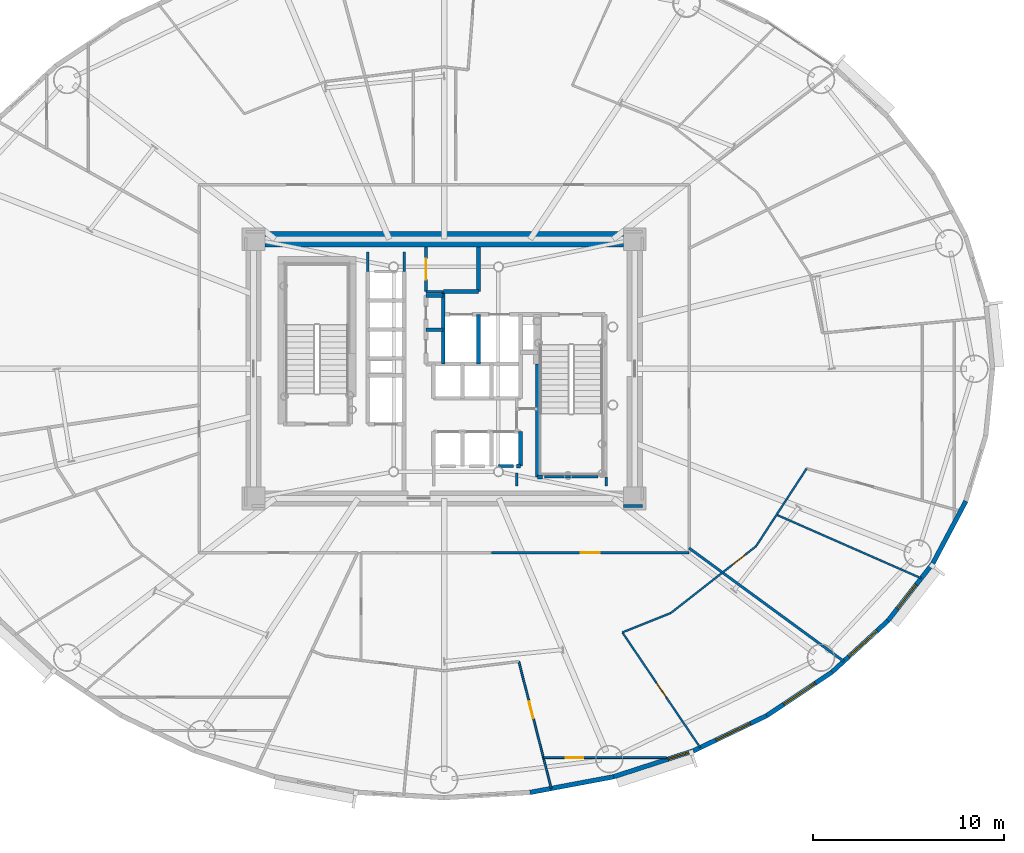
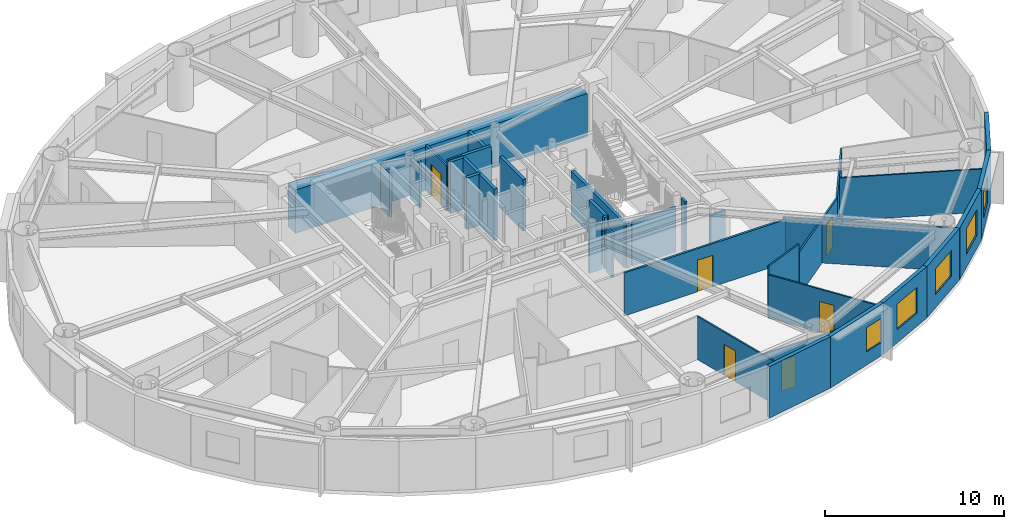
# One storey, part 13 of 21: 36 walls, 6 doors, 5 windows, 11 openings.
"""IFC4 building model written with IfcOpenShell, lengths in metres."""

from ifc_helpers import new_model, si_unit, direction, frame, frame_2d, origin, origin_2d, place, context, subcontext, project, spatial, rectangle, extrude, source, transform, mapped, material, layer, layer_set, type_object, element, fill, save


model = new_model("IFC4")

# Units and contexts
model_context = context("Model", 3, precision=1e-05, world=origin(), true_north=direction((0.0, 1.0)))
body_context = subcontext(model_context, "Body", "Model", "MODEL_VIEW")
ifc_project = project(units=[si_unit("LENGTHUNIT", "METRE"), si_unit("AREAUNIT", "SQUARE_METRE"), si_unit("VOLUMEUNIT", "CUBIC_METRE"), si_unit("PLANEANGLEUNIT", "RADIAN"), si_unit("MASSUNIT", "GRAM", prefix="KILO")], contexts=[model_context])

# Site, building, storey
site_placement = place(None, origin())
site = spatial("IfcSite", under=ifc_project, at=site_placement, CompositionType="ELEMENT")
building_placement = place(site_placement, origin())
building = spatial("IfcBuilding", under=site, at=building_placement, Name="Linh Dai School and Residence Tower", CompositionType="ELEMENT")
storey_placement = place(building_placement, frame((0.0, 0.0, 134.699951171875)))
storey = spatial("IfcBuildingStorey", under=building, at=storey_placement, Name="L32", CompositionType="ELEMENT", Elevation=134.699951171875)

# Wall
ifc_material_1 = material(Name="Precast Concrete B45 (C35/45)", Category="concrete")
ifc_layer_1 = layer(ifc_material_1, 0.239990234375)
ifc_layer_set_1 = layer_set([ifc_layer_1], Name="Precast Concrete B45 (C35/45)")
wall_type_1 = type_object("IfcWallType", Name="EW-TC-240", PredefinedType="SOLIDWALL", material=ifc_layer_set_1)
wall_1_placement = place(storey_placement, frame((44.899658203125, 5.5986328125, 0.0), z_axis=(0.0, 0.0, 1.0), x_axis=(-0.982789252177, -0.184730305596, 0.0)))
element("IfcWall", 1, at=wall_1_placement, inside=storey, type_object=wall_type_1, Name="L32 Terracotta Exterior Wall 32", PredefinedType="SOLIDWALL", context=body_context, shape_type="SweptSolid", body=[
    extrude(rectangle(XDim=4.470947265625, YDim=0.239990234375, at=frame_2d((2.2353515625, 0.0))), origin(), (0.0, 0.0, 1.0), 3.5),
])

# Wall, opening, window
wall_2_placement = place(storey_placement, frame((49.073974609375, 6.95263671875, 0.0), z_axis=(0.0, 0.0, 1.0), x_axis=(-0.951211346073, -0.308540070495, 0.0)))
wall_2 = element("IfcWall", 2, at=wall_2_placement, inside=storey, type_object=wall_type_1, Name="L32 Terracotta Exterior Wall 33", PredefinedType="SOLIDWALL", context=body_context, shape_type="SweptSolid", body=[
    extrude(rectangle(XDim=4.388427734375, YDim=0.239990234375, at=frame_2d((2.1943359375, 0.0))), origin(), (0.0, 0.0, 1.0), 3.5),
])
opening_1_placement = place(wall_2_placement, frame((0.139892578125, 0.0, 0.89990234375)))
opening_1 = element("IfcOpeningElement", 3, at=opening_1_placement, cuts=wall_2, Name="Opening W3", PredefinedType="OPENING", context=body_context, shape_type="SweptSolid", body=[
    extrude(rectangle(XDim=1.25, YDim=1.64990234375, at=origin_2d()), frame((0.625, 0.1298828125, 0.824951171875), z_axis=(0.0, -1.0, 0.0), x_axis=(1.0, 0.0, 0.0)), (0.0, 0.0, 1.0), 0.260009765625),
])
ifc_material_2 = material(Name="Double Low-E Insulated Glazing", Category="glass")
window_type_1 = type_object("IfcWindowType", Name="WN-RES-1250x1650", PartitioningType="SINGLE_PANEL", PredefinedType="WINDOW", material=ifc_material_2)
shared_shape_1 = source(origin(), body_context, "Body", "SweptSolid", [
    extrude(rectangle(XDim=1.25, YDim=1.64990234375, at=origin_2d()), frame((0.625, 0.030029296875, 0.824951171875), z_axis=(0.0, -1.0, 0.0), x_axis=(1.0, 0.0, 0.0)), (0.0, 0.0, 1.0), 0.06005859375),
])
window_1_placement = place(opening_1_placement, origin())
window_1 = element("IfcWindow", 4, at=window_1_placement, inside=storey, type_object=window_type_1, Name="L32 Dwelling Window U3202-LIV", OverallHeight=1.64990234375, OverallWidth=1.25, PartitioningType="SINGLE_PANEL", PredefinedType="WINDOW", context=body_context, shape_type="MappedRepresentation", body=[
    mapped(shared_shape_1, transform((0.0, 0.0, 0.0), x_axis=(1.0, 0.0, 0.0), y_axis=(0.0, 1.0, 0.0), z_axis=(0.0, 0.0, 1.0), scale=1.0)),
])
fill(opening_1, window_1)

wall_3_placement = place(storey_placement, frame((52.92529296875, 8.800537109375, 0.0), z_axis=(0.0, 0.0, 1.0), x_axis=(-0.901589935876, -0.432591709962, 0.0)))
wall_3 = element("IfcWall", 5, at=wall_3_placement, inside=storey, type_object=wall_type_1, Name="L32 Terracotta Exterior Wall 34", PredefinedType="SOLIDWALL", context=body_context, shape_type="SweptSolid", body=[
    extrude(rectangle(XDim=4.271728515625, YDim=0.239990234375, at=frame_2d((2.1357421875, 0.0))), origin(), (0.0, 0.0, 1.0), 3.5),
])
opening_2_placement = place(wall_3_placement, frame((0.94873046875, 0.0, 0.89990234375)))
opening_2 = element("IfcOpeningElement", 6, at=opening_2_placement, cuts=wall_3, Name="Opening W1", PredefinedType="OPENING", context=body_context, shape_type="SweptSolid", body=[
    extrude(rectangle(XDim=2.0, YDim=1.75, at=origin_2d()), frame((1.0, 0.1298828125, 0.875), z_axis=(0.0, -1.0, 0.0), x_axis=(1.0, 0.0, 0.0)), (0.0, 0.0, 1.0), 0.260009765625),
])
window_type_2 = type_object("IfcWindowType", Name="WN-RES-2000x1750", PartitioningType="DOUBLE_PANEL_VERTICAL", PredefinedType="WINDOW", material=ifc_material_2)
shared_shape_2 = source(origin(), body_context, "Body", "SweptSolid", [
    extrude(rectangle(XDim=2.0, YDim=1.75, at=origin_2d()), frame((1.0, 0.030029296875, 0.875), z_axis=(0.0, -1.0, 0.0), x_axis=(1.0, 0.0, 0.0)), (0.0, 0.0, 1.0), 0.06005859375),
])
window_2_placement = place(opening_2_placement, origin())
window_2 = element("IfcWindow", 7, at=window_2_placement, inside=storey, type_object=window_type_2, Name="L32 Exterior Window 34.1", OverallHeight=1.75, OverallWidth=2.0, PartitioningType="DOUBLE_PANEL_VERTICAL", PredefinedType="WINDOW", context=body_context, shape_type="MappedRepresentation", body=[
    mapped(shared_shape_2, transform((0.0, 0.0, 0.0), x_axis=(1.0, 0.0, 0.0), y_axis=(0.0, 1.0, 0.0), z_axis=(0.0, 0.0, 1.0), scale=1.0)),
])
fill(opening_2, window_2)

wall_4_placement = place(storey_placement, frame((56.3583984375, 11.0966796875, 0.0), z_axis=(0.0, 0.0, 1.0), x_axis=(-0.831221811447, -0.555940914284, 0.0)))
wall_4 = element("IfcWall", 8, at=wall_4_placement, inside=storey, type_object=wall_type_1, Name="L32 Terracotta Exterior Wall 35", PredefinedType="SOLIDWALL", context=body_context, shape_type="SweptSolid", body=[
    extrude(rectangle(XDim=4.130126953125, YDim=0.239990234375, at=frame_2d((2.06494140625, 0.0))), origin(), (0.0, 0.0, 1.0), 3.5),
])
opening_3_placement = place(wall_4_placement, frame((1.065185546875, 0.0, 0.89990234375)))
opening_3 = element("IfcOpeningElement", 9, at=opening_3_placement, cuts=wall_4, Name="Opening W1", PredefinedType="OPENING", context=body_context, shape_type="SweptSolid", body=[
    extrude(rectangle(XDim=2.0, YDim=1.75, at=origin_2d()), frame((1.0, 0.1298828125, 0.875), z_axis=(0.0, -1.0, 0.0), x_axis=(1.0, 0.0, 0.0)), (0.0, 0.0, 1.0), 0.260009765625),
])
window_3_placement = place(opening_3_placement, origin())
window_3 = element("IfcWindow", 10, at=window_3_placement, inside=storey, type_object=window_type_2, Name="L32 Exterior Window 35.1", OverallHeight=1.75, OverallWidth=2.0, PartitioningType="DOUBLE_PANEL_VERTICAL", PredefinedType="WINDOW", context=body_context, shape_type="MappedRepresentation", body=[
    mapped(shared_shape_2, transform((0.0, 0.0, 0.0), x_axis=(1.0, 0.0, 0.0), y_axis=(0.0, 1.0, 0.0), z_axis=(0.0, 0.0, 1.0), scale=1.0)),
])
fill(opening_3, window_3)

wall_5_placement = place(storey_placement, frame((59.2890625, 13.783447265625, 0.0), z_axis=(0.0, 0.0, 1.0), x_axis=(-0.737113356241, -0.675769117414, 0.0)))
wall_5 = element("IfcWall", 11, at=wall_5_placement, inside=storey, type_object=wall_type_1, Name="L32 Terracotta Exterior Wall 36", PredefinedType="SOLIDWALL", context=body_context, shape_type="SweptSolid", body=[
    extrude(rectangle(XDim=3.975830078125, YDim=0.239990234375, at=frame_2d((1.98779296875, 0.0))), origin(), (0.0, 0.0, 1.0), 3.5),
])
opening_4_placement = place(wall_5_placement, frame((0.78271484375, 0.0, 0.89990234375)))
opening_4 = element("IfcOpeningElement", 12, at=opening_4_placement, cuts=wall_5, Name="Opening W1", PredefinedType="OPENING", context=body_context, shape_type="SweptSolid", body=[
    extrude(rectangle(XDim=2.0, YDim=1.75, at=origin_2d()), frame((1.0, 0.1298828125, 0.875), z_axis=(0.0, -1.0, 0.0), x_axis=(1.0, 0.0, 0.0)), (0.0, 0.0, 1.0), 0.260009765625),
])
window_4_placement = place(opening_4_placement, origin())
window_4 = element("IfcWindow", 13, at=window_4_placement, inside=storey, type_object=window_type_2, Name="L32 Exterior Window 36.1", OverallHeight=1.75, OverallWidth=2.0, PartitioningType="DOUBLE_PANEL_VERTICAL", PredefinedType="WINDOW", context=body_context, shape_type="MappedRepresentation", body=[
    mapped(shared_shape_2, transform((0.0, 0.0, 0.0), x_axis=(1.0, 0.0, 0.0), y_axis=(0.0, 1.0, 0.0), z_axis=(0.0, 0.0, 1.0), scale=1.0)),
])
fill(opening_4, window_4)

wall_6_placement = place(storey_placement, frame((61.645263671875, 16.79443359375, 0.0), z_axis=(0.0, 0.0, 1.0), x_axis=(-0.616272103517, -0.787533297345, 0.0)))
wall_6 = element("IfcWall", 14, at=wall_6_placement, inside=storey, type_object=wall_type_1, Name="L32 Terracotta Exterior Wall 37", PredefinedType="SOLIDWALL", context=body_context, shape_type="SweptSolid", body=[
    extrude(rectangle(XDim=3.8232421875, YDim=0.239990234375, at=frame_2d((1.91162109375, 0.0))), origin(), (0.0, 0.0, 1.0), 3.5),
])
opening_5_placement = place(wall_6_placement, frame((1.430419921875, 0.0, 0.89990234375)))
opening_5 = element("IfcOpeningElement", 15, at=opening_5_placement, cuts=wall_6, Name="Opening W2", PredefinedType="OPENING", context=body_context, shape_type="SweptSolid", body=[
    extrude(rectangle(XDim=1.60009765625, YDim=1.75, at=origin_2d()), frame((0.800048828125, 0.1298828125, 0.875), z_axis=(0.0, -1.0, 0.0), x_axis=(1.0, 0.0, 0.0)), (0.0, 0.0, 1.0), 0.260009765625),
])
window_type_3 = type_object("IfcWindowType", Name="WN-RES-1600x1750", PartitioningType="DOUBLE_PANEL_VERTICAL", PredefinedType="WINDOW", material=ifc_material_2)
shared_shape_3 = source(origin(), body_context, "Body", "SweptSolid", [
    extrude(rectangle(XDim=1.60009765625, YDim=1.75, at=origin_2d()), frame((0.800048828125, 0.030029296875, 0.875), z_axis=(0.0, -1.0, 0.0), x_axis=(1.0, 0.0, 0.0)), (0.0, 0.0, 1.0), 0.06005859375),
])
window_5_placement = place(opening_5_placement, origin())
window_5 = element("IfcWindow", 16, at=window_5_placement, inside=storey, type_object=window_type_3, Name="L32 Exterior Window 37.1", OverallHeight=1.75, OverallWidth=1.60009765625, PartitioningType="DOUBLE_PANEL_VERTICAL", PredefinedType="WINDOW", context=body_context, shape_type="MappedRepresentation", body=[
    mapped(shared_shape_3, transform((0.0, 0.0, 0.0), x_axis=(1.0, 0.0, 0.0), y_axis=(0.0, 1.0, 0.0), z_axis=(0.0, 0.0, 1.0), scale=1.0)),
])
fill(opening_5, window_5)

# Wall
wall_7_placement = place(storey_placement, frame((63.3701171875, 20.054931640625, 0.0), z_axis=(0.0, 0.0, 1.0), x_axis=(-0.467614004126, -0.883932770716, 0.0)))
element("IfcWall", 17, at=wall_7_placement, inside=storey, type_object=wall_type_1, Name="L32 Terracotta Exterior Wall 38", PredefinedType="SOLIDWALL", context=body_context, shape_type="SweptSolid", body=[
    extrude(rectangle(XDim=3.688720703125, YDim=0.239990234375, at=frame_2d((1.84423828125, 0.0))), origin(), (0.0, 0.0, 1.0), 3.5),
])

# Wall, opening, door
ifc_material_3 = material(Name="Autoclaved Aerated Concrete Blockwork", Category="masonry")
ifc_layer_2 = layer(ifc_material_3, 0.135009765625)
ifc_layer_set_2 = layer_set([ifc_layer_2], Name="Autoclaved Aerated Concrete Blockwork")
wall_type_2 = type_object("IfcWallType", Name="IW-CORR-135-EI90", PredefinedType="PARTITIONING", material=ifc_layer_set_2)
wall_8_placement = place(storey_placement, frame((35.050048828125, 31.050048828125, 0.0), z_axis=(0.0, 0.0, 1.0), x_axis=(0.0, 1.0, 0.0)))
wall_8 = element("IfcWall", 18, at=wall_8_placement, inside=storey, type_object=wall_type_2, Name="L32 Interior Partition Wall 041", PredefinedType="PARTITIONING", context=body_context, shape_type="SweptSolid", body=[
    extrude(rectangle(XDim=2.349853515625, YDim=0.135009765625, at=frame_2d((1.1748046875, 0.0))), origin(), (0.0, 0.0, 1.0), 3.0849609375),
])
opening_6_placement = place(wall_8_placement, frame((0.625, 0.0, 0.0)))
opening_6 = element("IfcOpeningElement", 19, at=opening_6_placement, cuts=wall_8, Name="Opening D07", PredefinedType="OPENING", context=body_context, shape_type="SweptSolid", body=[
    extrude(rectangle(XDim=1.10009765625, YDim=2.14990234375, at=origin_2d()), frame((0.550048828125, 0.07763671875, 1.074951171875), z_axis=(0.0, -1.0, 0.0), x_axis=(1.0, 0.0, 0.0)), (0.0, 0.0, 1.0), 0.155029296875),
])
ifc_material_4 = material(Name="Fire-Rated Louvred Steel Plant Door", Category="steel")
door_type_1 = type_object("IfcDoorType", Name="DR-PLT-1100x2150-FD60S", OperationType="NOTDEFINED", PredefinedType="DOOR", material=ifc_material_4)
shared_shape_4 = source(origin(), body_context, "Body", "SweptSolid", [
    extrude(rectangle(XDim=1.10009765625, YDim=2.14990234375, at=origin_2d()), frame((0.550048828125, 0.02490234375, 1.074951171875), z_axis=(0.0, -1.0, 0.0), x_axis=(1.0, 0.0, 0.0)), (0.0, 0.0, 1.0), 0.050048828125),
])
door_1_placement = place(opening_6_placement, origin())
door_1 = element("IfcDoor", 20, at=door_1_placement, inside=storey, type_object=door_type_1, Name="L32 North Telecom Switchroom Door", OperationType="SINGLE_SWING_RIGHT", OverallHeight=2.14990234375, OverallWidth=1.10009765625, PredefinedType="DOOR", context=body_context, shape_type="MappedRepresentation", body=[
    mapped(shared_shape_4, transform((0.0, 0.0, 0.0), x_axis=(1.0, 0.0, 0.0), y_axis=(0.0, 1.0, 0.0), z_axis=(0.0, 0.0, 1.0), scale=1.0)),
])
fill(opening_6, door_1)

# Wall
wall_9_placement = place(storey_placement, frame((35.050048828125, 31.050048828125, 0.0), z_axis=(0.0, 0.0, 1.0), x_axis=(1.0, 0.0, 0.0)))
element("IfcWall", 21, at=wall_9_placement, inside=storey, type_object=wall_type_2, Name="L32 Interior Partition Wall 042", PredefinedType="PARTITIONING", context=body_context, shape_type="SweptSolid", body=[
    extrude(rectangle(XDim=0.89990234375, YDim=0.135009765625, at=frame_2d((0.449951171875, 0.0))), origin(), (0.0, 0.0, 1.0), 3.5),
])

# Wall, opening, door
wall_10_placement = place(storey_placement, frame((38.47705078125, 17.35009765625, 0.0), z_axis=(0.0, 0.0, 1.0), x_axis=(1.0, 0.0, 0.0)))
wall_10 = element("IfcWall", 22, at=wall_10_placement, inside=storey, type_object=wall_type_2, Name="L32 Interior Partition Wall 059", PredefinedType="PARTITIONING", context=body_context, shape_type="SweptSolid", body=[
    extrude(rectangle(XDim=10.373046875, YDim=0.135009765625, at=frame_2d((5.1865234375, 0.0))), origin(), (0.0, 0.0, 1.0), 2.93505859375),
])
opening_7_placement = place(wall_10_placement, frame((4.6865234375, 0.0, 0.0)))
opening_7 = element("IfcOpeningElement", 23, at=opening_7_placement, cuts=wall_10, Name="Opening D03", PredefinedType="OPENING", context=body_context, shape_type="SweptSolid", body=[
    extrude(rectangle(XDim=1.0, YDim=2.14990234375, at=origin_2d()), frame((0.5, 0.07763671875, 1.074951171875), z_axis=(0.0, -1.0, 0.0), x_axis=(1.0, 0.0, 0.0)), (0.0, 0.0, 1.0), 0.155029296875),
])
ifc_material_5 = material(Name="Fire-Rated Solid Timber Entrance Door", Category="wood")
door_type_2 = type_object("IfcDoorType", Name="DR-FLAT-1000x2150-FD60S", OperationType="NOTDEFINED", PredefinedType="DOOR", material=ifc_material_5)
shared_shape_5 = source(origin(), body_context, "Body", "SweptSolid", [
    extrude(rectangle(XDim=1.0, YDim=2.14990234375, at=origin_2d()), frame((0.5, 0.02490234375, 1.074951171875), z_axis=(0.0, -1.0, 0.0), x_axis=(1.0, 0.0, 0.0)), (0.0, 0.0, 1.0), 0.050048828125),
])
door_2_placement = place(opening_7_placement, origin())
door_2 = element("IfcDoor", 24, at=door_2_placement, inside=storey, type_object=door_type_2, Name="L32 U3202 Apartment Entrance Door", OperationType="SINGLE_SWING_RIGHT", OverallHeight=2.14990234375, OverallWidth=1.0, PredefinedType="DOOR", context=body_context, shape_type="MappedRepresentation", body=[
    mapped(shared_shape_5, transform((0.0, 0.0, 0.0), x_axis=(1.0, 0.0, 0.0), y_axis=(0.0, 1.0, 0.0), z_axis=(0.0, 0.0, 1.0), scale=1.0)),
])
fill(opening_7, door_2)

# Walls
wall_11_placement = place(storey_placement, frame((48.85009765625, 17.59521484375, 0.0), z_axis=(0.0, 0.0, 1.0), x_axis=(0.806958414, -0.590608261096, 0.0)))
element("IfcWall", 25, at=wall_11_placement, inside=storey, type_object=wall_type_2, Name="L32 Interior Partition Wall 081", PredefinedType="PARTITIONING", context=body_context, shape_type="SweptSolid", body=[
    extrude(rectangle(XDim=10.0634765625, YDim=0.135009765625, at=frame_2d((5.03173828125, 0.0))), origin(), (0.0, 0.0, 1.0), 2.93505859375),
])
wall_12_placement = place(storey_placement, frame((44.080078125, 21.330078125, 0.0), z_axis=(0.0, 0.0, 1.0), x_axis=(-1.0, 0.0, 0.0)))
element("IfcWall", 26, at=wall_12_placement, inside=storey, type_object=wall_type_2, Name="L32 Interior Partition Wall 093", PredefinedType="PARTITIONING", context=body_context, shape_type="SweptSolid", body=[
    extrude(rectangle(XDim=2.820068359375, YDim=0.135009765625, at=frame_2d((1.41015625, 0.0))), origin(), (0.0, 0.0, 1.0), 3.03515625),
])
wall_13_placement = place(storey_placement, frame((39.639892578125, 21.89990234375, 0.0), z_axis=(0.0, 0.0, 1.0), x_axis=(-1.0, 0.0, 0.0)))
element("IfcWall", 27, at=wall_13_placement, inside=storey, type_object=wall_type_2, Name="L32 Interior Partition Wall 096", PredefinedType="PARTITIONING", context=body_context, shape_type="SweptSolid", body=[
    extrude(rectangle(XDim=0.7998046875, YDim=0.135009765625, at=frame_2d((0.39990234375, 0.0))), origin(), (0.0, 0.0, 1.0), 3.0849609375),
])
wall_14_placement = place(storey_placement, frame((39.800048828125, 20.860107421875, 0.0), z_axis=(0.0, 0.0, 1.0), x_axis=(0.0, 1.0, 0.0)))
element("IfcWall", 28, at=wall_14_placement, inside=storey, type_object=wall_type_2, Name="L32 Interior Partition Wall 098", PredefinedType="PARTITIONING", context=body_context, shape_type="SweptSolid", body=[
    extrude(rectangle(XDim=0.679931640625, YDim=0.135009765625, at=frame_2d((0.33984375, 0.0))), origin(), (0.0, 0.0, 1.0), 3.03515625),
])
wall_15_placement = place(storey_placement, frame((32.0, 33.139892578125, 0.0), z_axis=(0.0, 0.0, 1.0), x_axis=(0.0, -1.0, 0.0)))
element("IfcWall", 29, at=wall_15_placement, inside=storey, type_object=wall_type_2, Name="L32 Interior Partition Wall 099", PredefinedType="PARTITIONING", context=body_context, shape_type="SweptSolid", body=[
    extrude(rectangle(XDim=1.02978515625, YDim=0.135009765625, at=frame_2d((0.514892578125, 0.0))), origin(), (0.0, 0.0, 1.0), 3.03515625),
])
wall_16_placement = place(storey_placement, frame((44.5, 20.860107421875, 0.0), z_axis=(0.0, 0.0, 1.0), x_axis=(0.0, 1.0, 0.0)))
element("IfcWall", 30, at=wall_16_placement, inside=storey, type_object=wall_type_2, Name="L32 Interior Partition Wall 100", PredefinedType="PARTITIONING", context=body_context, shape_type="SweptSolid", body=[
    extrude(rectangle(XDim=0.4599609375, YDim=0.135009765625, at=frame_2d((0.22998046875, 0.0))), origin(), (0.0, 0.0, 1.0), 3.5),
])
wall_17_placement = place(storey_placement, frame((33.89990234375, 32.110107421875, 0.0), z_axis=(0.0, 0.0, 1.0), x_axis=(0.0, 1.0, 0.0)))
element("IfcWall", 31, at=wall_17_placement, inside=storey, type_object=wall_type_2, Name="L32 Interior Partition Wall 102", PredefinedType="PARTITIONING", context=body_context, shape_type="SweptSolid", body=[
    extrude(rectangle(XDim=1.02978515625, YDim=0.135009765625, at=frame_2d((0.514892578125, 0.0))), origin(), (0.0, 0.0, 1.0), 3.0849609375),
])
wall_18_placement = place(storey_placement, frame((45.409912109375, 19.800048828125, 0.0), z_axis=(0.0, 0.0, 1.0), x_axis=(1.0, 0.0, 0.0)))
element("IfcWall", 32, at=wall_18_placement, inside=storey, type_object=wall_type_2, Name="L32 Interior Partition Wall 110", PredefinedType="PARTITIONING", context=body_context, shape_type="SweptSolid", body=[
    extrude(rectangle(XDim=0.989990234375, YDim=0.135009765625, at=frame_2d((0.4951171875, 0.0))), origin(), (0.0, 0.0, 1.0), 2.93505859375),
])
ifc_material_6 = material(Name="Concrete B45 (C35/45)", Category="concrete")
ifc_layer_3 = layer(ifc_material_6, 0.199951171875)
ifc_layer_set_3 = layer_set([ifc_layer_3], Name="Concrete B45 (C35/45)")
wall_type_3 = type_object("IfcWallType", Name="IW-SHAFT-200-EI120", PredefinedType="PARTITIONING", material=ifc_layer_set_3)
for number, where, z_axis, x_axis, name in (
    (33, (35.050048828125, 29.050048828125, 0.0), (0.0, 0.0, 1.0), (1.0, 0.0, 0.0), "L32 Interior Partition Wall 039"),
    (34, (35.050048828125, 30.85009765625, 0.0), (0.0, 0.0, 1.0), (1.0, 0.0, 0.0), "L32 Interior Partition Wall 040"),
):
    element("IfcWall", number, at=place(storey_placement, frame(where, z_axis=z_axis, x_axis=x_axis)), inside=storey, type_object=wall_type_3, Name=name, PredefinedType="PARTITIONING", context=body_context, shape_type="SweptSolid", body=[
        extrude(rectangle(XDim=0.89990234375, YDim=0.199951171875, at=frame_2d((0.449951171875, 0.0))), origin(), (0.0, 0.0, 1.0), 3.5),
    ])
wall_19_placement = place(storey_placement, frame((35.949951171875, 27.25, 0.0), z_axis=(0.0, 0.0, 1.0), x_axis=(0.0, 1.0, 0.0)))
element("IfcWall", 35, at=wall_19_placement, inside=storey, type_object=wall_type_3, Name="L32 Interior Partition Wall 047", PredefinedType="PARTITIONING", context=body_context, shape_type="SweptSolid", body=[
    extrude(rectangle(XDim=3.800048828125, YDim=0.199951171875, at=frame_2d((1.89990234375, 0.0))), origin(), (0.0, 0.0, 1.0), 3.5),
])
wall_20_placement = place(storey_placement, frame((35.9599609375, 31.050048828125, 0.0), z_axis=(0.0, 0.0, 1.0), x_axis=(1.0, 0.0, 0.0)))
element("IfcWall", 36, at=wall_20_placement, inside=storey, type_object=wall_type_3, Name="L32 Interior Partition Wall 049", PredefinedType="PARTITIONING", context=body_context, shape_type="SweptSolid", body=[
    extrude(rectangle(XDim=1.840087890625, YDim=0.199951171875, at=frame_2d((0.919921875, 0.0))), origin(), (0.0, 0.0, 1.0), 3.5),
])
wall_21_placement = place(storey_placement, frame((37.800048828125, 27.25, 0.0), z_axis=(0.0, 0.0, 1.0), x_axis=(0.0, 1.0, 0.0)))
element("IfcWall", 37, at=wall_21_placement, inside=storey, type_object=wall_type_3, Name="L32 Interior Partition Wall 057", PredefinedType="PARTITIONING", context=body_context, shape_type="SweptSolid", body=[
    extrude(rectangle(XDim=2.60009765625, YDim=0.199951171875, at=frame_2d((1.300048828125, 0.0))), origin(), (0.0, 0.0, 1.0), 3.5),
])
wall_22_placement = place(storey_placement, frame((37.800048828125, 31.050048828125, 0.0), z_axis=(0.0, 0.0, 1.0), x_axis=(0.0, 1.0, 0.0)))
element("IfcWall", 38, at=wall_22_placement, inside=storey, type_object=wall_type_3, Name="L32 Interior Partition Wall 058", PredefinedType="PARTITIONING", context=body_context, shape_type="SweptSolid", body=[
    extrude(rectangle(XDim=2.349853515625, YDim=0.199951171875, at=frame_2d((1.1748046875, 0.0))), origin(), (0.0, 0.0, 1.0), 3.0849609375),
])
wall_23_placement = place(storey_placement, frame((39.800048828125, 21.89990234375, 0.0), z_axis=(0.0, 0.0, 1.0), x_axis=(1.0, 0.0, 0.0)))
element("IfcWall", 39, at=wall_23_placement, inside=storey, type_object=wall_type_3, Name="L32 Interior Partition Wall 062", PredefinedType="PARTITIONING", context=body_context, shape_type="SweptSolid", body=[
    extrude(rectangle(XDim=0.199951171875, YDim=0.199951171875, at=frame_2d((0.10009765625, 0.0))), origin(), (0.0, 0.0, 1.0), 3.5),
])
wall_24_placement = place(storey_placement, frame((40.0, 21.89990234375, 0.0), z_axis=(0.0, 0.0, 1.0), x_axis=(0.0, 1.0, 0.0)))
element("IfcWall", 40, at=wall_24_placement, inside=storey, type_object=wall_type_3, Name="L32 Interior Partition Wall 066", PredefinedType="PARTITIONING", context=body_context, shape_type="SweptSolid", body=[
    extrude(rectangle(XDim=1.800048828125, YDim=0.199951171875, at=frame_2d((0.89990234375, 0.0))), origin(), (0.0, 0.0, 1.0), 3.5),
])
wall_25_placement = place(storey_placement, frame((40.89990234375, 21.330078125, 0.0), z_axis=(0.0, 0.0, 1.0), x_axis=(0.0, 1.0, 0.0)))
element("IfcWall", 41, at=wall_25_placement, inside=storey, type_object=wall_type_3, Name="L32 Interior Partition Wall 069", PredefinedType="PARTITIONING", context=body_context, shape_type="SweptSolid", body=[
    extrude(rectangle(XDim=5.909912109375, YDim=0.199951171875, at=frame_2d((2.955078125, 0.0))), origin(), (0.0, 0.0, 1.0), 3.03515625),
])
wall_26_placement = place(storey_placement, frame((40.89990234375, 21.330078125, 0.0), z_axis=(0.0, 0.0, 1.0), x_axis=(1.0, 0.0, 0.0)))
element("IfcWall", 42, at=wall_26_placement, inside=storey, type_object=wall_type_3, Name="L32 Interior Partition Wall 070", PredefinedType="PARTITIONING", context=body_context, shape_type="SweptSolid", body=[
    extrude(rectangle(XDim=0.25, YDim=0.199951171875, at=frame_2d((0.125, 0.0))), origin(), (0.0, 0.0, 1.0), 3.03515625),
])

# Wall, opening, door
ifc_material_7 = material(Name="Gypsum Plasterboard Acoustic Stud Partition", Category="masonry")
ifc_layer_4 = layer(ifc_material_7, 0.10009765625)
ifc_layer_set_4 = layer_set([ifc_layer_4], Name="Gypsum Plasterboard Acoustic Stud Partition")
wall_type_4 = type_object("IfcWallType", Name="IW-UNIT-100", PredefinedType="PARTITIONING", material=ifc_layer_set_4)
wall_27_placement = place(storey_placement, frame((39.92041015625, 11.645263671875, 0.0), z_axis=(0.0, 0.0, 1.0), x_axis=(0.24735773306, -0.968924224021, 0.0)))
wall_27 = element("IfcWall", 43, at=wall_27_placement, inside=storey, type_object=wall_type_4, Name="L32 Interior Partition Wall 065", PredefinedType="PARTITIONING", context=body_context, shape_type="SweptSolid", body=[
    extrude(rectangle(XDim=6.88134765625, YDim=0.10009765625, at=frame_2d((3.440673828125, 0.0))), origin(), (0.0, 0.0, 1.0), 2.93505859375),
])
opening_8_placement = place(wall_27_placement, frame((2.172119140625, 0.0, 0.0)))
opening_8 = element("IfcOpeningElement", 44, at=opening_8_placement, cuts=wall_27, Name="Opening D05", PredefinedType="OPENING", context=body_context, shape_type="SweptSolid", body=[
    extrude(rectangle(XDim=0.89990234375, YDim=2.10009765625, at=origin_2d()), frame((0.449951171875, 0.06005859375, 1.050048828125), z_axis=(0.0, -1.0, 0.0), x_axis=(1.0, 0.0, 0.0)), (0.0, 0.0, 1.0), 0.1201171875),
])
ifc_material_8 = material(Name="Engineered Timber Internal Door", Category="wood")
door_type_3 = type_object("IfcDoorType", Name="DR-INT-900x2100", OperationType="NOTDEFINED", PredefinedType="DOOR", material=ifc_material_8)
shared_shape_6 = source(origin(), body_context, "Body", "SweptSolid", [
    extrude(rectangle(XDim=0.89990234375, YDim=2.10009765625, at=origin_2d()), frame((0.449951171875, 0.02490234375, 1.050048828125), z_axis=(0.0, -1.0, 0.0), x_axis=(1.0, 0.0, 0.0)), (0.0, 0.0, 1.0), 0.050048828125),
])
door_3_placement = place(opening_8_placement, origin())
door_3 = element("IfcDoor", 45, at=door_3_placement, inside=storey, type_object=door_type_3, Name="L32 Apartment U3202 Principal Bedroom 2 Door", OperationType="SINGLE_SWING_RIGHT", OverallHeight=2.10009765625, OverallWidth=0.89990234375, PredefinedType="DOOR", context=body_context, shape_type="MappedRepresentation", body=[
    mapped(shared_shape_6, transform((0.0, 0.0, 0.0), x_axis=(1.0, 0.0, 0.0), y_axis=(0.0, 1.0, 0.0), z_axis=(0.0, 0.0, 1.0), scale=1.0)),
])
fill(opening_8, door_3)

wall_28_placement = place(storey_placement, frame((41.207763671875, 6.6025390625, 0.0), z_axis=(0.0, 0.0, 1.0), x_axis=(1.0, 0.0, 0.0)))
wall_28 = element("IfcWall", 46, at=wall_28_placement, inside=storey, type_object=wall_type_4, Name="L32 Interior Partition Wall 071", PredefinedType="PARTITIONING", context=body_context, shape_type="SweptSolid", body=[
    extrude(rectangle(XDim=6.453125, YDim=0.10009765625, at=frame_2d((3.2265625, 0.0))), origin(), (0.0, 0.0, 1.0), 2.93505859375),
])
opening_9_placement = place(wall_28_placement, frame((1.1826171875, 0.0, 0.0)))
opening_9 = element("IfcOpeningElement", 47, at=opening_9_placement, cuts=wall_28, Name="Opening D05", PredefinedType="OPENING", context=body_context, shape_type="SweptSolid", body=[
    extrude(rectangle(XDim=0.89990234375, YDim=2.10009765625, at=origin_2d()), frame((0.449951171875, 0.06005859375, 1.050048828125), z_axis=(0.0, -1.0, 0.0), x_axis=(1.0, 0.0, 0.0)), (0.0, 0.0, 1.0), 0.1201171875),
])
door_4_placement = place(opening_9_placement, origin())
door_4 = element("IfcDoor", 48, at=door_4_placement, inside=storey, type_object=door_type_3, Name="L32 Apartment U3202 Kitchen Door", OperationType="SINGLE_SWING_LEFT", OverallHeight=2.10009765625, OverallWidth=0.89990234375, PredefinedType="DOOR", context=body_context, shape_type="MappedRepresentation", body=[
    mapped(shared_shape_6, transform((0.0, 0.0, 0.0), x_axis=(1.0, 0.0, 0.0), y_axis=(0.0, 1.0, 0.0), z_axis=(0.0, 0.0, 1.0), scale=1.0)),
])
fill(opening_9, door_4)

# Wall
wall_29_placement = place(storey_placement, frame((45.349609375, 13.17041015625, 0.0), z_axis=(0.0, 0.0, 1.0), x_axis=(0.928802486491, 0.370575149044, 0.0)))
element("IfcWall", 49, at=wall_29_placement, inside=storey, type_object=wall_type_4, Name="L32 Interior Partition Wall 075", PredefinedType="PARTITIONING", context=body_context, shape_type="SweptSolid", body=[
    extrude(rectangle(XDim=2.736083984375, YDim=0.10009765625, at=frame_2d((1.3681640625, 0.0))), origin(), (0.0, 0.0, 1.0), 3.5),
])

# Wall, opening, door
wall_30_placement = place(storey_placement, frame((45.349609375, 13.17041015625, 0.0), z_axis=(0.0, 0.0, 1.0), x_axis=(0.560082631059, -0.828436748573, 0.0)))
wall_30 = element("IfcWall", 50, at=wall_30_placement, inside=storey, type_object=wall_type_4, Name="L32 Interior Partition Wall 076", PredefinedType="PARTITIONING", context=body_context, shape_type="SweptSolid", body=[
    extrude(rectangle(XDim=7.301025390625, YDim=0.10009765625, at=frame_2d((3.650390625, 0.0))), origin(), (0.0, 0.0, 1.0), 2.93505859375),
])
opening_10_placement = place(wall_30_placement, frame((3.200439453125, 0.0, 0.0)))
opening_10 = element("IfcOpeningElement", 51, at=opening_10_placement, cuts=wall_30, Name="Opening D05", PredefinedType="OPENING", context=body_context, shape_type="SweptSolid", body=[
    extrude(rectangle(XDim=0.89990234375, YDim=2.10009765625, at=origin_2d()), frame((0.449951171875, 0.06005859375, 1.050048828125), z_axis=(0.0, -1.0, 0.0), x_axis=(1.0, 0.0, 0.0)), (0.0, 0.0, 1.0), 0.1201171875),
])
door_5_placement = place(opening_10_placement, origin())
door_5 = element("IfcDoor", 52, at=door_5_placement, inside=storey, type_object=door_type_3, Name="L32 Apartment U3202 Principal Bedroom 3 Door", OperationType="SINGLE_SWING_LEFT", OverallHeight=2.10009765625, OverallWidth=0.89990234375, PredefinedType="DOOR", context=body_context, shape_type="MappedRepresentation", body=[
    mapped(shared_shape_6, transform((0.0, 0.0, 0.0), x_axis=(1.0, 0.0, 0.0), y_axis=(0.0, 1.0, 0.0), z_axis=(0.0, 0.0, 1.0), scale=1.0)),
])
fill(opening_10, door_5)

wall_31_placement = place(storey_placement, frame((47.890869140625, 14.184326171875, 0.0), z_axis=(0.0, 0.0, 1.0), x_axis=(0.787333679705, 0.616527109544, 0.0)))
wall_31 = element("IfcWall", 53, at=wall_31_placement, inside=storey, type_object=wall_type_4, Name="L32 Interior Partition Wall 077", PredefinedType="PARTITIONING", context=body_context, shape_type="SweptSolid", body=[
    extrude(rectangle(XDim=5.6845703125, YDim=0.10009765625, at=frame_2d((2.84228515625, 0.0))), origin(), (0.0, 0.0, 1.0), 2.93505859375),
])
opening_11_placement = place(wall_31_placement, frame((4.09619140625, 0.0, 0.0)))
opening_11 = element("IfcOpeningElement", 54, at=opening_11_placement, cuts=wall_31, Name="Opening D05", PredefinedType="OPENING", context=body_context, shape_type="SweptSolid", body=[
    extrude(rectangle(XDim=0.89990234375, YDim=2.10009765625, at=origin_2d()), frame((0.449951171875, 0.06005859375, 1.050048828125), z_axis=(0.0, -1.0, 0.0), x_axis=(1.0, 0.0, 0.0)), (0.0, 0.0, 1.0), 0.1201171875),
])
door_6_placement = place(opening_11_placement, origin())
door_6 = element("IfcDoor", 55, at=door_6_placement, inside=storey, type_object=door_type_3, Name="L32 Apartment U3203 Principal Bedroom 1 Door", OperationType="SINGLE_SWING_LEFT", OverallHeight=2.10009765625, OverallWidth=0.89990234375, PredefinedType="DOOR", context=body_context, shape_type="MappedRepresentation", body=[
    mapped(shared_shape_6, transform((0.0, 0.0, 0.0), x_axis=(1.0, 0.0, 0.0), y_axis=(0.0, 1.0, 0.0), z_axis=(0.0, 0.0, 1.0), scale=1.0)),
])
fill(opening_11, door_6)

# Walls
wall_32_placement = place(storey_placement, frame((52.366455078125, 17.68896484375, 0.0), z_axis=(0.0, 0.0, 1.0), x_axis=(0.545413870093, 0.838166874978, 0.0)))
element("IfcWall", 56, at=wall_32_placement, inside=storey, type_object=wall_type_4, Name="L32 Interior Partition Wall 084", PredefinedType="PARTITIONING", context=body_context, shape_type="SweptSolid", body=[
    extrude(rectangle(XDim=4.859375, YDim=0.10009765625, at=frame_2d((2.4296875, 0.0))), origin(), (0.0, 0.0, 1.0), 2.93505859375),
])
wall_33_placement = place(storey_placement, frame((53.442138671875, 19.342041015625, 0.0), z_axis=(0.0, 0.0, 1.0), x_axis=(0.91563160904, -0.402018353469, 0.0)))
element("IfcWall", 57, at=wall_33_placement, inside=storey, type_object=wall_type_4, Name="L32 Interior Partition Wall 086", PredefinedType="PARTITIONING", context=body_context, shape_type="SweptSolid", body=[
    extrude(rectangle(XDim=8.293701171875, YDim=0.10009765625, at=frame_2d((4.14697265625, 0.0))), origin(), (0.0, 0.0, 1.0), 2.93505859375),
])
ifc_material_9 = material(Name="Concrete B60 (C50/60)", Category="concrete")
ifc_layer_5 = layer(ifc_material_9, 0.800048828125)
ifc_layer_set_5 = layer_set([ifc_layer_5], Name="Concrete B60 (C50/60)")
wall_type_5 = type_object("IfcWallType", Name="WL-CORE800", PredefinedType="SHEAR", material=ifc_layer_set_5)
wall_34_placement = place(storey_placement, frame((26.60009765625, 33.800048828125, 0.0), z_axis=(0.0, 0.0, 1.0), x_axis=(1.0, 0.0, 0.0)))
element("IfcWall", 58, at=wall_34_placement, inside=storey, type_object=wall_type_5, Name="L32 Central Core Shear Wall N", PredefinedType="SHEAR", context=body_context, shape_type="SweptSolid", body=[
    extrude(rectangle(XDim=18.7998046875, YDim=0.800048828125, at=frame_2d((9.39990234375, 0.0))), origin(), (0.0, 0.0, 1.0), 2.949951171875),
])

save(model, "model.ifc")
